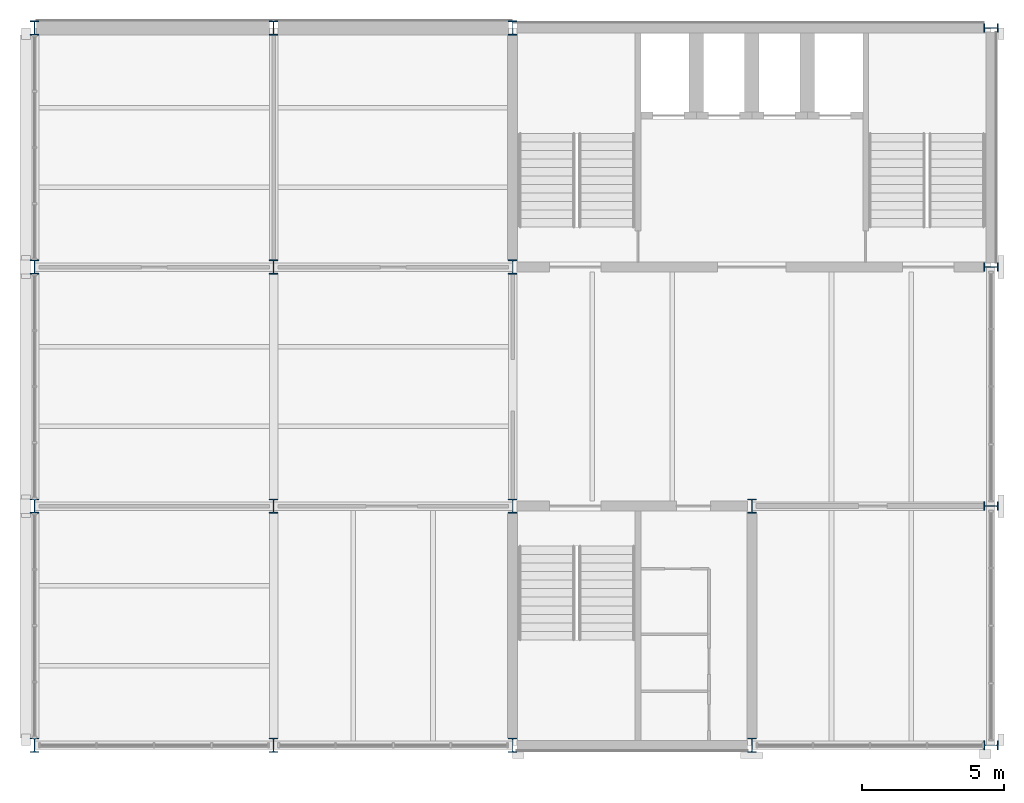
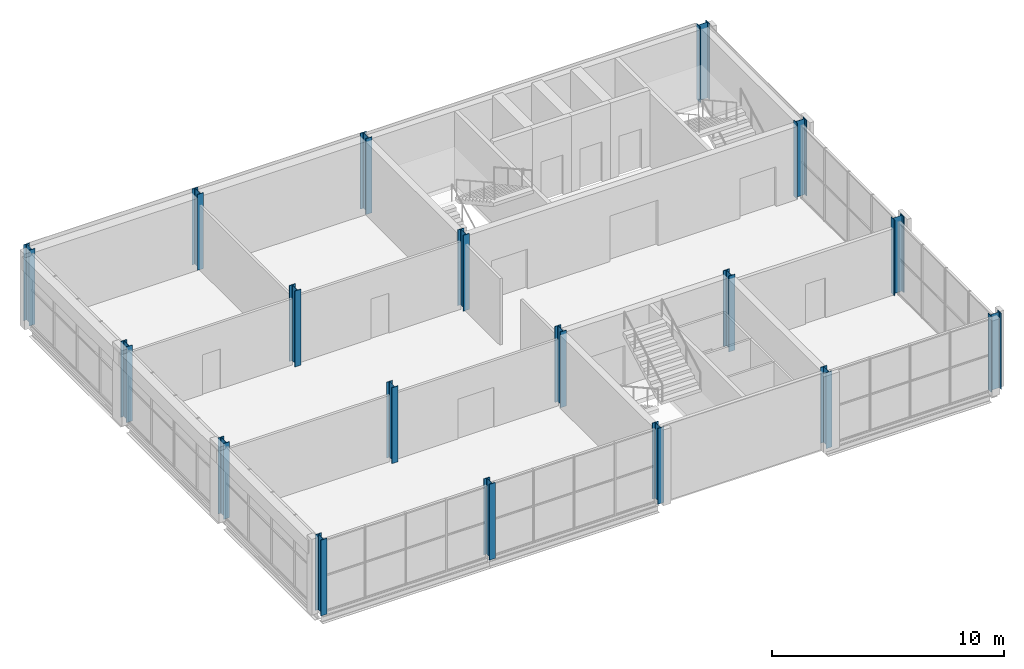
# One storey, part 1 of 12: 18 columns.
"""IFC4 building model written with IfcOpenShell, lengths in metres."""

from ifc_helpers import new_model, si_unit, direction, frame, origin, origin_2d, place, context, subcontext, project, spatial, i_section, extrude, material, material_profile, profile_set, type_object, element, save


model = new_model("IFC4")

# Units and contexts
model_context = context("Model", 3, precision=1e-05, world=origin(), true_north=direction((0.0, 1.0)))
body_context = subcontext(model_context, "Body", "Model", "MODEL_VIEW")
ifc_project = project(units=[si_unit("LENGTHUNIT", "METRE"), si_unit("AREAUNIT", "SQUARE_METRE"), si_unit("VOLUMEUNIT", "CUBIC_METRE"), si_unit("PLANEANGLEUNIT", "RADIAN"), si_unit("MASSUNIT", "GRAM", prefix="KILO")], contexts=[model_context])

# Site, building, storey
site_placement = place(None, origin())
site = spatial("IfcSite", under=ifc_project, at=site_placement, CompositionType="ELEMENT")
building_placement = place(site_placement, origin())
building = spatial("IfcBuilding", under=site, at=building_placement, Name="Galleria Vessillo Department Store", CompositionType="ELEMENT")
storey_placement = place(building_placement, frame((0.0, 0.0, 43.60009765625)))
storey = spatial("IfcBuildingStorey", under=building, at=storey_placement, Name="L09", CompositionType="ELEMENT", Elevation=43.60009765625)

# Columns
ifc_material = material(Name="Steel S355 J2", Category="steel")
ifc_material_profile = material_profile(ifc_material, i_section(OverallWidth=0.300048828125, OverallDepth=0.5, WebThickness=0.014404296875, FlangeThickness=0.028076171875, FilletRadius=0.027099609375, at=origin_2d()), Name="HEB 500")
ifc_profile_set = profile_set([ifc_material_profile], Name="Steel S355 J2")
column_type = type_object("IfcColumnType", Name="Steel column HEB 500 CT3", PredefinedType="COLUMN", material=ifc_profile_set)
for number, where, z_axis, x_axis, name in (
    (1, (84.0, 37.800048828125, 0.0), (0.0, 0.0, 1.0), (1.0, 0.0, 0.0), "S-COL-L09-11-E"),
    (2, (84.0, 46.199951171875, 0.0), (0.0, 0.0, 1.0), (1.0, 0.0, 0.0), "S-COL-L09-11-F"),
    (3, (84.0, 54.60009765625, 0.0), (0.0, 0.0, 1.0), (1.0, 0.0, 0.0), "S-COL-L09-11-G"),
    (4, (84.0, 63.0, 0.0), (0.0, 0.0, 1.0), (1.0, 0.0, 0.0), "S-COL-L09-11-H"),
    (5, (92.39990234375, 37.800048828125, 0.0), (0.0, 0.0, 1.0), (1.0, 0.0, 0.0), "S-COL-L09-12-E"),
    (6, (92.39990234375, 46.199951171875, 0.0), (0.0, 0.0, 1.0), (1.0, 0.0, 0.0), "S-COL-L09-12-F"),
    (7, (92.39990234375, 54.60009765625, 0.0), (0.0, 0.0, 1.0), (1.0, 0.0, 0.0), "S-COL-L09-12-G"),
    (8, (92.39990234375, 63.0, 0.0), (0.0, 0.0, 1.0), (1.0, 0.0, 0.0), "S-COL-L09-12-H"),
    (9, (100.800048828125, 37.800048828125, 0.0), (0.0, 0.0, 1.0), (1.0, 0.0, 0.0), "S-COL-L09-13-E"),
    (10, (100.800048828125, 46.199951171875, 0.0), (0.0, 0.0, 1.0), (1.0, 0.0, 0.0), "S-COL-L09-13-F"),
    (11, (100.800048828125, 54.60009765625, 0.0), (0.0, 0.0, 1.0), (1.0, 0.0, 0.0), "S-COL-L09-13-G"),
    (12, (100.800048828125, 63.0, 0.0), (0.0, 0.0, 1.0), (1.0, 0.0, 0.0), "S-COL-L09-13-H"),
    (13, (109.199951171875, 37.800048828125, 0.0), (0.0, 0.0, 1.0), (1.0, 0.0, 0.0), "S-COL-L09-14-E"),
    (14, (109.199951171875, 46.199951171875, 0.0), (0.0, 0.0, 1.0), (1.0, 0.0, 0.0), "S-COL-L09-14-F"),
    (15, (117.60009765625, 37.800048828125, 0.0), (0.0, 0.0, 1.0), (0.0, 1.0, 0.0), "S-COL-L09-15-E"),
    (16, (117.60009765625, 46.199951171875, 0.0), (0.0, 0.0, 1.0), (0.0, 1.0, 0.0), "S-COL-L09-15-F"),
    (17, (117.60009765625, 54.60009765625, 0.0), (0.0, 0.0, 1.0), (0.0, 1.0, 0.0), "S-COL-L09-15-G"),
    (18, (117.60009765625, 63.0, 0.0), (0.0, 0.0, 1.0), (0.0, 1.0, 0.0), "S-COL-L09-15-H"),
):
    element("IfcColumn", number, at=place(storey_placement, frame(where, z_axis=z_axis, x_axis=x_axis)), inside=storey, type_object=column_type, Name=name, PredefinedType="COLUMN", context=body_context, shape_type="SweptSolid", body=[
        extrude(i_section(OverallWidth=0.300048828125, OverallDepth=0.5, WebThickness=0.014404296875, FlangeThickness=0.028076171875, FilletRadius=0.027099609375, at=origin_2d()), origin(), (0.0, 0.0, 1.0), 4.0),
    ])

save(model, "model.ifc")
